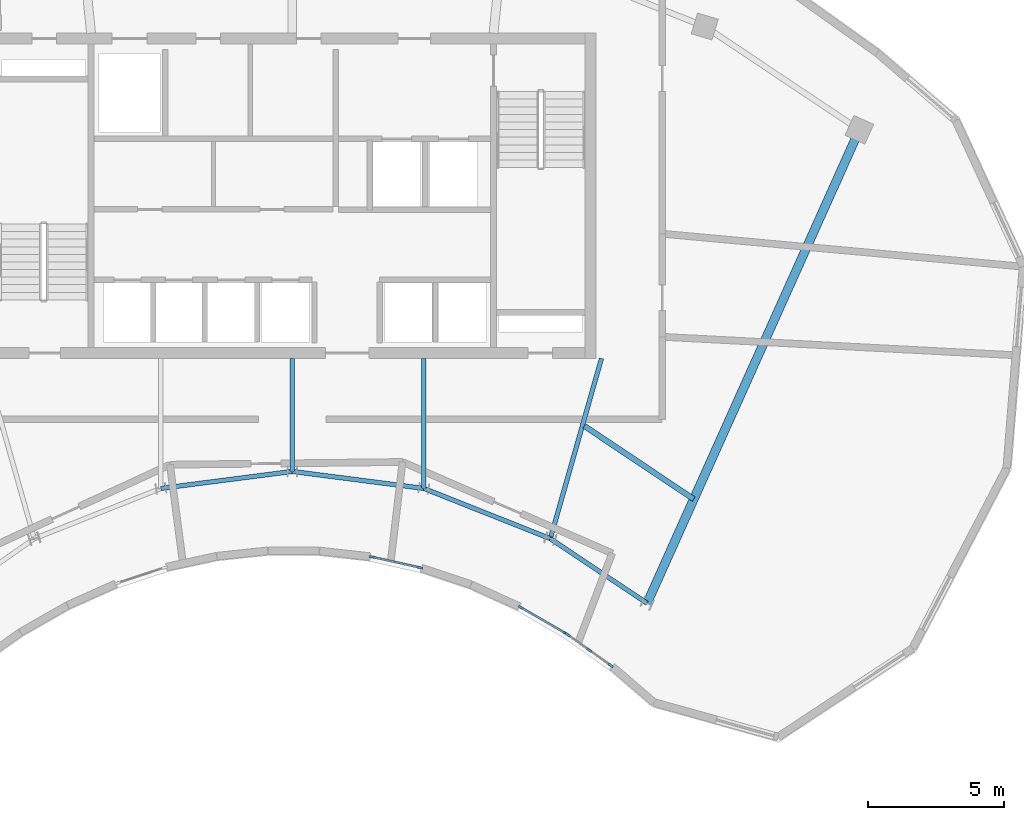
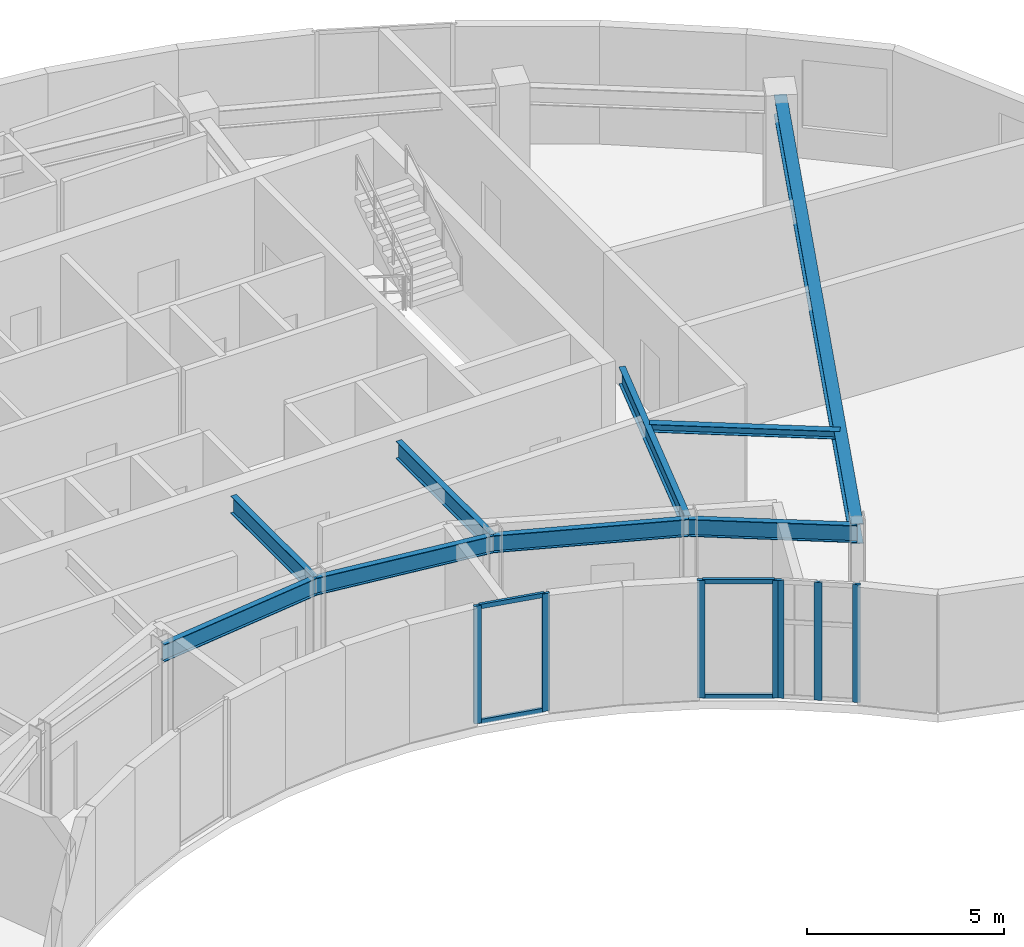
# One storey, part 3 of 12: 11 members, 9 beams, 3 elements without a shape of their own.
"""IFC4 building model written with IfcOpenShell, lengths in metres."""

from ifc_helpers import new_model, si_unit, direction, frame, origin, origin_2d, place, context, subcontext, project, spatial, rectangle, i_section, extrude, source, transform, mapped, material, layer, layer_set, material_profile, profile_set, type_object, type_shapes, element, aggregate, save


model = new_model("IFC4")

# Units and contexts
model_context = context("Model", 3, precision=1e-05, world=origin(), true_north=direction((0.0, 1.0)))
body_context = subcontext(model_context, "Body", "Model", "MODEL_VIEW")
ifc_project = project(units=[si_unit("LENGTHUNIT", "METRE"), si_unit("AREAUNIT", "SQUARE_METRE"), si_unit("VOLUMEUNIT", "CUBIC_METRE"), si_unit("PLANEANGLEUNIT", "RADIAN"), si_unit("MASSUNIT", "GRAM", prefix="KILO")], contexts=[model_context])

# Site, building, storey
site_placement = place(None, origin())
site = spatial("IfcSite", under=ifc_project, at=site_placement, CompositionType="ELEMENT")
building_placement = place(site_placement, origin())
building = spatial("IfcBuilding", under=site, at=building_placement, Name="Breltana Convention Tower", CompositionType="ELEMENT")
storey_placement = place(building_placement, frame((0.0, 0.0, 267.89990234375)))
storey = spatial("IfcBuildingStorey", under=building, at=storey_placement, Name="L65", CompositionType="ELEMENT", Elevation=267.89990234375)

# Beams
ifc_material_1 = material(Name="Steel ASTM A992 Grade 50", Category="steel")
ifc_material_profile_1 = material_profile(ifc_material_1, i_section(OverallWidth=0.166015625, OverallDepth=0.534912109375, WebThickness=0.01025390625, FlangeThickness=0.0166015625, at=origin_2d()), Name="W21X57")
ifc_profile_set_1 = profile_set([ifc_material_profile_1], Name="Steel ASTM A992 Grade 50")
beam_type_1 = type_object("IfcBeamType", Name="BM-BM-W21X57", PredefinedType="BEAM", material=ifc_profile_set_1)
shared_shape_1 = source(origin(), body_context, "Body", "SweptSolid", [
    extrude(i_section(OverallWidth=0.166015625, OverallDepth=0.534912109375, WebThickness=0.01025390625, FlangeThickness=0.0166015625, at=origin_2d()), origin(), (0.0, 0.0, 1.0), 6.904541015625),
])
type_shapes(beam_type_1, [shared_shape_1])
beam_1_placement = place(storey_placement, frame((59.39990234375, 60.199951171875, 3.382568359375), z_axis=(-0.273006781054, -0.962012108811, 0.0), x_axis=(0.962012108811, -0.273006781054, 0.0)))
element("IfcBeam", 1, at=beam_1_placement, inside=storey, type_object=beam_type_1, Name="L65 South Core Tie Girder R08", PredefinedType="BEAM", context=body_context, shape_type="MappedRepresentation", body=[
    mapped(shared_shape_1, transform((0.0, 0.0, 0.0), scale=1.0)),
])
shared_shape_2 = source(origin(), body_context, "Body", "SweptSolid", [
    extrude(i_section(OverallWidth=0.166015625, OverallDepth=0.534912109375, WebThickness=0.01025390625, FlangeThickness=0.0166015625, at=origin_2d()), origin(), (0.0, 0.0, 1.0), 4.789306640625),
])
beam_2_placement = place(storey_placement, frame((52.846435546875, 60.199951171875, 3.382568359375), z_axis=(0.0, -1.0, 0.0), x_axis=(1.0, 0.0, 0.0)))
element("IfcBeam", 2, at=beam_2_placement, inside=storey, type_object=beam_type_1, Name="L65 South Core Tie Girder R07", PredefinedType="BEAM", context=body_context, shape_type="MappedRepresentation", body=[
    mapped(shared_shape_2, transform((0.0, 0.0, 0.0), scale=1.0)),
])
shared_shape_3 = source(origin(), body_context, "Body", "SweptSolid", [
    extrude(i_section(OverallWidth=0.166015625, OverallDepth=0.534912109375, WebThickness=0.01025390625, FlangeThickness=0.0166015625, at=origin_2d()), origin(), (0.0, 0.0, 1.0), 4.1640625),
])
beam_3_placement = place(storey_placement, frame((48.0, 60.199951171875, 3.382568359375), z_axis=(0.0, -1.0, 0.0), x_axis=(1.0, 0.0, 0.0)))
element("IfcBeam", 3, at=beam_3_placement, inside=storey, type_object=beam_type_1, Name="L65 South Core Tie Girder R06", PredefinedType="BEAM", context=body_context, shape_type="MappedRepresentation", body=[
    mapped(shared_shape_3, transform((0.0, 0.0, 0.0), scale=1.0)),
])
shared_shape_4 = source(origin(), body_context, "Body", "SweptSolid", [
    extrude(i_section(OverallWidth=0.166015625, OverallDepth=0.534912109375, WebThickness=0.01025390625, FlangeThickness=0.0166015625, at=origin_2d()), origin(), (0.0, 0.0, 1.0), 5.022705078125),
])
beam_4_placement = place(storey_placement, frame((52.846435546875, 55.41064453125, 3.382568359375), z_axis=(0.929458966248, -0.368925507469, 0.0), x_axis=(0.368925507469, 0.929458966248, 0.0)))
element("IfcBeam", 4, at=beam_4_placement, inside=storey, type_object=beam_type_1, Name="L65 Inner Ring Beam 07", PredefinedType="BEAM", context=body_context, shape_type="MappedRepresentation", body=[
    mapped(shared_shape_4, transform((0.0, 0.0, 0.0), scale=1.0)),
])
shared_shape_5 = source(origin(), body_context, "Body", "SweptSolid", [
    extrude(i_section(OverallWidth=0.166015625, OverallDepth=0.534912109375, WebThickness=0.01025390625, FlangeThickness=0.0166015625, at=origin_2d()), origin(), (0.0, 0.0, 1.0), 4.88671875),
])
for number, where, z_axis, x_axis, name in (
    (5, (43.153564453125, 55.41064453125, 3.382568359375), (0.991780525565, 0.127950729231, 0.0), (-0.127950729231, 0.991780525565, 0.0), "L65 Inner Ring Beam 05"),
    (6, (48.0, 56.035888671875, 3.382568359375), (0.991780525565, -0.127950729231, 0.0), (0.127950729231, 0.991780525565, 0.0), "L65 Inner Ring Beam 06"),
):
    element("IfcBeam", number, at=place(storey_placement, frame(where, z_axis=z_axis, x_axis=x_axis)), inside=storey, type_object=beam_type_1, Name=name, PredefinedType="BEAM", context=body_context, shape_type="MappedRepresentation", body=[
        mapped(shared_shape_5, transform((0.0, 0.0, 0.0), scale=1.0)),
    ])
shared_shape_6 = source(origin(), body_context, "Body", "SweptSolid", [
    extrude(i_section(OverallWidth=0.166015625, OverallDepth=0.534912109375, WebThickness=0.01025390625, FlangeThickness=0.0166015625, at=origin_2d()), origin(), (0.0, 0.0, 1.0), 4.2900390625),
])
beam_5_placement = place(storey_placement, frame((57.514892578125, 53.5576171875, 3.382568359375), z_axis=(0.831515827753, -0.555501060482, 0.0), x_axis=(0.555501060482, 0.831515827753, 0.0)))
element("IfcBeam", 7, at=beam_5_placement, inside=storey, type_object=beam_type_1, Name="L65 Inner Ring Beam 08", PredefinedType="BEAM", context=body_context, shape_type="MappedRepresentation", body=[
    mapped(shared_shape_6, transform((0.0, 0.0, 0.0), scale=1.0)),
])
ifc_material_profile_2 = material_profile(ifc_material_1, i_section(OverallWidth=0.201904296875, OverallDepth=0.2470703125, WebThickness=0.00732421875, FlangeThickness=0.010986328125, at=origin_2d()), Name="W10X33")
ifc_profile_set_2 = profile_set([ifc_material_profile_2], Name="Steel ASTM A992 Grade 50")
beam_type_2 = type_object("IfcBeamType", Name="BM-JSG-11", PredefinedType="JOIST", material=ifc_profile_set_2)
shared_shape_7 = source(origin(), body_context, "Body", "SweptSolid", [
    extrude(i_section(OverallWidth=0.201904296875, OverallDepth=0.2470703125, WebThickness=0.00732421875, FlangeThickness=0.010986328125, at=origin_2d()), origin(), (0.0, 0.0, 1.0), 4.854736328125),
])
beam_6_placement = place(storey_placement, frame((58.767578125, 57.71240234375, 3.526611328125), z_axis=(0.831485074305, -0.555547091801, 0.0), x_axis=(0.555547091801, 0.831485074305, 0.0)))
element("IfcBeam", 8, at=beam_6_placement, inside=storey, type_object=beam_type_2, Name="L65 Composite Floor Joist 08.1", PredefinedType="JOIST", context=body_context, shape_type="MappedRepresentation", body=[
    mapped(shared_shape_7, transform((0.0, 0.0, 0.0), scale=1.0)),
])
ifc_material_profile_3 = material_profile(ifc_material_1, i_section(OverallWidth=0.326904296875, OverallDepth=0.6220703125, WebThickness=0.015380859375, FlangeThickness=0.0244140625, at=origin_2d()), Name="W24X131")
ifc_profile_set_3 = profile_set([ifc_material_profile_3], Name="Steel ASTM A992 Grade 50")
beam_type_3 = type_object("IfcBeamType", Name="BM-RG-W24X131", PredefinedType="USERDEFINED", material=ifc_profile_set_3)
shared_shape_8 = source(origin(), body_context, "Body", "SweptSolid", [
    extrude(i_section(OverallWidth=0.326904296875, OverallDepth=0.6220703125, WebThickness=0.015380859375, FlangeThickness=0.0244140625, at=origin_2d()), origin(), (0.0, 0.0, 1.0), 19.133544921875),
])
beam_7_placement = place(storey_placement, frame((61.08203125, 51.174560546875, 3.339111328125), z_axis=(0.409144564164, 0.912469575172, 0.0), x_axis=(-0.912469575172, 0.409144564164, 0.0)))
element("IfcBeam", 9, at=beam_7_placement, inside=storey, type_object=beam_type_3, Name="L65 Radial Floor Girder R09", ObjectType="GIRDER", PredefinedType="USERDEFINED", context=body_context, shape_type="MappedRepresentation", body=[
    mapped(shared_shape_8, transform((0.0, 0.0, 0.0), scale=1.0)),
])

# Curtain wall, members
ifc_material_2 = material(Name="Aluminium Anodised Bronze Frame", Category="aluminium")
ifc_layer = layer(ifc_material_2, 0.18994140625, Name="Aluminium Anodised Bronze Frame")
ifc_layer_set = layer_set([ifc_layer], Name="Aluminium Anodised Bronze Frame")
curtain_wall_type = type_object("IfcCurtainWallType", Name="CW-SYS-1", PredefinedType="NOTDEFINED", material=ifc_layer_set)
curtain_wall_1_placement = place(storey_placement, origin())
curtain_wall_1 = element("IfcCurtainWall", 10, at=curtain_wall_1_placement, inside=storey, type_object=curtain_wall_type, Name="L65 inner south-court glazing 1", PredefinedType="NOTDEFINED")
ifc_material_3 = material(Name="Aluminium Anodised Bronze", Category="aluminium")
ifc_material_profile_4 = material_profile(ifc_material_3, rectangle(XDim=0.080078125, YDim=0.199951171875, at=origin_2d()), Name="CWM-80X200")
ifc_profile_set_4 = profile_set([ifc_material_profile_4], Name="Aluminium Anodised Bronze")
member_type_1 = type_object("IfcMemberType", Name="CWM-200", PredefinedType="MULLION", material=ifc_profile_set_4)
shared_shape_9 = source(origin(), body_context, "Body", "SweptSolid", [
    extrude(rectangle(XDim=0.080078125, YDim=0.199951171875, at=origin_2d()), origin(), (0.0, 0.0, 1.0), 3.650146484375),
])
member_1_placement = place(storey_placement, frame((59.743896484375, 48.881591796875, 0.0), z_axis=(0.0, 0.0, 1.0), x_axis=(-0.58065619198, -0.814148872575, 0.0)))
member_1 = element("IfcMember", 11, at=member_1_placement, type_object=member_type_1, Name="CW-01 mullion 1", PredefinedType="MULLION", context=body_context, shape_type="MappedRepresentation", body=[
    mapped(shared_shape_9, transform((0.0, 0.0, 0.0), scale=1.0)),
])
member_2_placement = place(storey_placement, frame((58.94921875, 49.448486328125, 0.0), z_axis=(0.0, 0.0, 1.0), x_axis=(-0.58065619198, -0.814148872575, 0.0)))
member_2 = element("IfcMember", 12, at=member_2_placement, type_object=member_type_1, Name="CW-01 mullion 2", PredefinedType="MULLION", context=body_context, shape_type="MappedRepresentation", body=[
    mapped(shared_shape_9, transform((0.0, 0.0, 0.0), scale=1.0)),
])
member_3_placement = place(storey_placement, frame((58.154541015625, 50.01513671875, 0.0), z_axis=(0.0, 0.0, 1.0), x_axis=(-0.58065619198, -0.814148872575, 0.0)))
member_3 = element("IfcMember", 13, at=member_3_placement, type_object=member_type_1, Name="CW-01 mullion 3", PredefinedType="MULLION", context=body_context, shape_type="MappedRepresentation", body=[
    mapped(shared_shape_9, transform((0.0, 0.0, 0.0), scale=1.0)),
])
aggregate(curtain_wall_1, [member_1, member_2, member_3])

curtain_wall_2_placement = place(storey_placement, origin())
curtain_wall_2 = element("IfcCurtainWall", 14, at=curtain_wall_2_placement, inside=storey, type_object=curtain_wall_type, Name="L65 inner south-court glazing 2", PredefinedType="NOTDEFINED")
member_4_placement = place(storey_placement, frame((58.072998046875, 50.067626953125, 0.0), z_axis=(0.0, 0.0, 1.0), x_axis=(-0.501216684434, -0.865321810221, 0.0)))
member_4 = element("IfcMember", 15, at=member_4_placement, type_object=member_type_1, Name="CW-01 mullion 1", PredefinedType="MULLION", context=body_context, shape_type="MappedRepresentation", body=[
    mapped(shared_shape_9, transform((0.0, 0.0, 0.0), scale=1.0)),
])
member_5_placement = place(storey_placement, frame((56.421875, 51.024169921875, 0.0), z_axis=(0.0, 0.0, 1.0), x_axis=(-0.501216684434, -0.865321810221, 0.0)))
member_5 = element("IfcMember", 16, at=member_5_placement, type_object=member_type_1, Name="CW-01 mullion 2", PredefinedType="MULLION", context=body_context, shape_type="MappedRepresentation", body=[
    mapped(shared_shape_9, transform((0.0, 0.0, 0.0), scale=1.0)),
])

curtain_wall_3_placement = place(storey_placement, origin())
curtain_wall_3 = element("IfcCurtainWall", 17, at=curtain_wall_3_placement, inside=storey, type_object=curtain_wall_type, Name="L65 inner south-court glazing 3", PredefinedType="NOTDEFINED")
member_6_placement = place(storey_placement, frame((52.7041015625, 52.48974609375, 0.0), z_axis=(0.0, 0.0, 1.0), x_axis=(-0.217098160332, -0.976149777842, 0.0)))
member_6 = element("IfcMember", 18, at=member_6_placement, type_object=member_type_1, Name="CW-01 mullion 1", PredefinedType="MULLION", context=body_context, shape_type="MappedRepresentation", body=[
    mapped(shared_shape_9, transform((0.0, 0.0, 0.0), scale=1.0)),
])
member_7_placement = place(storey_placement, frame((50.933349609375, 52.883544921875, 0.0), z_axis=(0.0, 0.0, 1.0), x_axis=(-0.217098160332, -0.976149777842, 0.0)))
member_7 = element("IfcMember", 19, at=member_7_placement, type_object=member_type_1, Name="CW-01 mullion 2", PredefinedType="MULLION", context=body_context, shape_type="MappedRepresentation", body=[
    mapped(shared_shape_9, transform((0.0, 0.0, 0.0), scale=1.0)),
])

# Member
ifc_material_profile_5 = material_profile(ifc_material_3, rectangle(XDim=0.080078125, YDim=0.139892578125, at=origin_2d()), Name="CWT-80X140")
ifc_profile_set_5 = profile_set([ifc_material_profile_5], Name="Aluminium Anodised Bronze")
member_type_2 = type_object("IfcMemberType", Name="CWT-140", PredefinedType="USERDEFINED", material=ifc_profile_set_5)
shared_shape_10 = source(origin(), body_context, "Body", "SweptSolid", [
    extrude(rectangle(XDim=0.080078125, YDim=0.139892578125, at=origin_2d()), origin(), (0.0, 0.0, 1.0), 1.828125),
])
member_8_placement = place(storey_placement, frame((58.03857421875, 50.087890625, 0.0400390625), z_axis=(-0.865343988334, 0.501178393243, 0.0), x_axis=(-0.501178393243, -0.865343988334, 0.0)))
member_8 = element("IfcMember", 20, at=member_8_placement, type_object=member_type_2, Name="CW-01 transom 1.1", ObjectType="TRANSOM", PredefinedType="USERDEFINED", context=body_context, shape_type="MappedRepresentation", body=[
    mapped(shared_shape_10, transform((0.0, 0.0, 0.0), scale=1.0)),
])

member_9_placement = place(storey_placement, frame((58.03857421875, 50.087890625, 3.610107421875), z_axis=(-0.865343988334, 0.501178393243, 0.0), x_axis=(-0.501178393243, -0.865343988334, 0.0)))
member_9 = element("IfcMember", 21, at=member_9_placement, type_object=member_type_2, Name="CW-01 transom 1.2", ObjectType="TRANSOM", PredefinedType="USERDEFINED", context=body_context, shape_type="MappedRepresentation", body=[
    mapped(shared_shape_10, transform((0.0, 0.0, 0.0), scale=1.0)),
])

aggregate(curtain_wall_2, [member_4, member_5, member_8, member_9])

shared_shape_11 = source(origin(), body_context, "Body", "SweptSolid", [
    extrude(rectangle(XDim=0.080078125, YDim=0.139892578125, at=origin_2d()), origin(), (0.0, 0.0, 1.0), 1.73388671875),
])
member_10_placement = place(storey_placement, frame((52.6650390625, 52.49853515625, 0.0400390625), z_axis=(-0.976147289276, 0.217109349497, 0.0), x_axis=(-0.217109349497, -0.976147289276, 0.0)))
member_10 = element("IfcMember", 22, at=member_10_placement, type_object=member_type_2, Name="CW-01 transom 1.1", ObjectType="TRANSOM", PredefinedType="USERDEFINED", context=body_context, shape_type="MappedRepresentation", body=[
    mapped(shared_shape_11, transform((0.0, 0.0, 0.0), scale=1.0)),
])

member_11_placement = place(storey_placement, frame((52.6650390625, 52.49853515625, 3.610107421875), z_axis=(-0.976147289276, 0.217109349497, 0.0), x_axis=(-0.217109349497, -0.976147289276, 0.0)))
member_11 = element("IfcMember", 23, at=member_11_placement, type_object=member_type_2, Name="CW-01 transom 1.2", ObjectType="TRANSOM", PredefinedType="USERDEFINED", context=body_context, shape_type="MappedRepresentation", body=[
    mapped(shared_shape_11, transform((0.0, 0.0, 0.0), scale=1.0)),
])

aggregate(curtain_wall_3, [member_6, member_7, member_10, member_11])

save(model, "model.ifc")
